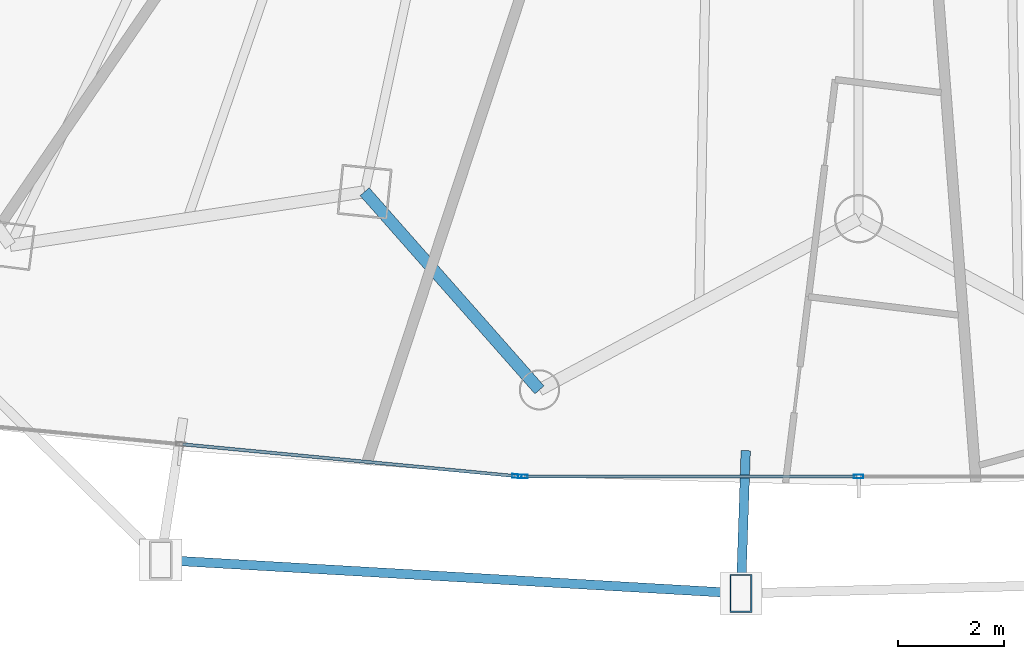
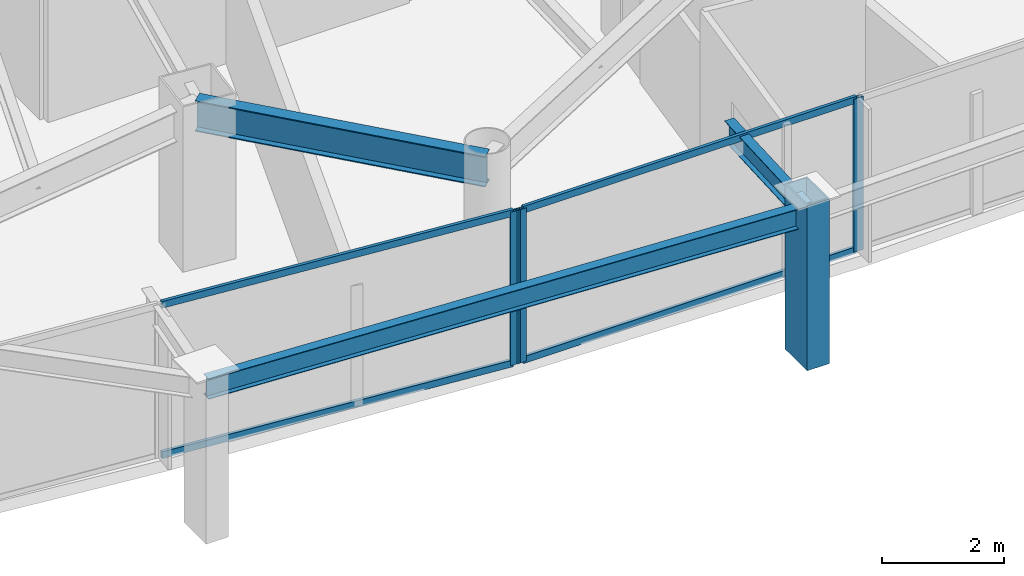
# One storey, part 6 of 33: 8 members, 3 beams, 2 elements without a shape of their own.
"""IFC4 building model written with IfcOpenShell, lengths in metres."""

from ifc_helpers import new_model, si_unit, direction, frame, origin, origin_2d, place, context, subcontext, project, spatial, hollow_rectangle, i_section, extrude, material, layer, layer_set, material_profile, profile_set, type_object, element, aggregate, save


model = new_model("IFC4")

# Units and contexts
model_context = context("Model", 3, precision=1e-05, world=origin(), true_north=direction((0.0, 1.0)))
body_context = subcontext(model_context, "Body", "Model", "MODEL_VIEW")
ifc_project = project(units=[si_unit("LENGTHUNIT", "METRE"), si_unit("AREAUNIT", "SQUARE_METRE"), si_unit("VOLUMEUNIT", "CUBIC_METRE"), si_unit("PLANEANGLEUNIT", "RADIAN"), si_unit("MASSUNIT", "GRAM", prefix="KILO")], contexts=[model_context])

# Site, building, storey
site_placement = place(None, origin())
site = spatial("IfcSite", under=ifc_project, at=site_placement, CompositionType="ELEMENT")
building_placement = place(site_placement, origin())
building = spatial("IfcBuilding", under=site, at=building_placement, Name="Orvanel Arch Residences", CompositionType="ELEMENT")
storey_placement = place(building_placement, frame((0.0, 0.0, 70.85009765625)))
storey = spatial("IfcBuildingStorey", under=building, at=storey_placement, Name="L19", CompositionType="ELEMENT", Elevation=70.85009765625)

# Member
ifc_material_1 = material(Name="Structural steel AS/NZS 3678 Grade 350", Category="steel")
ifc_material_profile_1 = material_profile(ifc_material_1, hollow_rectangle(XDim=0.419921875, YDim=0.719970703125, WallThickness=0.02490234375, at=origin_2d()), Name="RHS720x420x25")
ifc_profile_set_1 = profile_set([ifc_material_profile_1], Name="Structural steel AS/NZS 3678 Grade 350")
member_type_1 = type_object("IfcMemberType", Name="CH-720RHS-EXT", PredefinedType="CHORD", material=ifc_profile_set_1)
member_1_placement = place(storey_placement, frame((30.77099609375, -0.2470703125, 0.0), z_axis=(0.0, 0.0, 1.0), x_axis=(1.0, 0.0, 0.0)))
element("IfcMember", 1, at=member_1_placement, inside=storey, type_object=member_type_1, Name="L19 Outer Perimeter Frame Post 06", PredefinedType="CHORD", context=body_context, shape_type="SweptSolid", body=[
    extrude(hollow_rectangle(XDim=0.419921875, YDim=0.719970703125, WallThickness=0.02490234375, at=origin_2d()), origin(), (0.0, 0.0, 1.0), 3.2998046875),
])

# Curtain wall, member
ifc_material_2 = material(Name="Bronze-anodised aluminium AA6063-T6", Category="aluminium")
ifc_layer = layer(ifc_material_2, 0.179931640625)
ifc_layer_set = layer_set([ifc_layer], Name="Bronze-anodised aluminium AA6063-T6")
curtain_wall_type = type_object("IfcCurtainWallType", Name="CW2-LOW-SYS", PredefinedType="NOTDEFINED", material=ifc_layer_set)
curtain_wall_1_placement = place(storey_placement, origin())
curtain_wall_1 = element("IfcCurtainWall", 2, at=curtain_wall_1_placement, inside=storey, type_object=curtain_wall_type, Name="L19 CW2-LOW-SYS Unitised Curtain Wall", PredefinedType="NOTDEFINED")
ifc_material_profile_2 = material_profile(ifc_material_2, hollow_rectangle(XDim=0.070068359375, YDim=0.179931640625, WallThickness=0.00439453125, at=origin_2d()), Name="ALU180x70x4.5")
ifc_profile_set_2 = profile_set([ifc_material_profile_2], Name="Bronze-anodised aluminium AA6063-T6")
member_type_2 = type_object("IfcMemberType", Name="MUL-180x70", PredefinedType="MULLION", material=ifc_profile_set_2)
member_2_placement = place(storey_placement, frame((26.5322265625, 1.971435546875, 0.0), z_axis=(0.0, 0.0, 1.0), x_axis=(0.094831137816, 0.995493372806, 0.0)))
member_2 = element("IfcMember", 3, at=member_2_placement, type_object=member_type_2, Name="CW-S2 mullion 3", PredefinedType="MULLION", context=body_context, shape_type="SweptSolid", body=[
    extrude(hollow_rectangle(XDim=0.070068359375, YDim=0.179931640625, WallThickness=0.00439453125, at=origin_2d()), origin(), (0.0, 0.0, 1.0), 3.059814453125),
])

# Curtain wall, members
curtain_wall_2_placement = place(storey_placement, origin())
curtain_wall_2 = element("IfcCurtainWall", 4, at=curtain_wall_2_placement, inside=storey, type_object=curtain_wall_type, Name="L19 CW2-LOW-SYS Unitised Curtain Wall", PredefinedType="NOTDEFINED")
member_3_placement = place(storey_placement, frame((26.64208984375, 1.966064453125, 0.0), z_axis=(0.0, 0.0, 1.0), x_axis=(0.0, 1.0, 0.0)))
member_3 = element("IfcMember", 5, at=member_3_placement, type_object=member_type_2, Name="CW-S2 mullion 1", PredefinedType="MULLION", context=body_context, shape_type="SweptSolid", body=[
    extrude(hollow_rectangle(XDim=0.070068359375, YDim=0.179931640625, WallThickness=0.00439453125, at=origin_2d()), origin(), (0.0, 0.0, 1.0), 3.059814453125),
])
member_4_placement = place(storey_placement, frame((33.0, 1.966064453125, 0.0), z_axis=(0.0, 0.0, 1.0), x_axis=(0.0, 1.0, 0.0)))
member_4 = element("IfcMember", 6, at=member_4_placement, type_object=member_type_2, Name="CW-S2 mullion 2", PredefinedType="MULLION", context=body_context, shape_type="SweptSolid", body=[
    extrude(hollow_rectangle(XDim=0.070068359375, YDim=0.179931640625, WallThickness=0.00439453125, at=origin_2d()), origin(), (0.0, 0.0, 1.0), 3.059814453125),
])

# Beams
ifc_material_3 = material(Name="Structural steel AS/NZS 3679.1 Grade 300 (300 MPa)", Category="steel")
ifc_material_profile_3 = material_profile(ifc_material_3, i_section(OverallWidth=0.177978515625, OverallDepth=0.406005859375, WebThickness=0.0078125, FlangeThickness=0.0126953125, at=origin_2d()), Name="410UB59.7")
ifc_profile_set_3 = profile_set([ifc_material_profile_3], Name="Structural steel AS/NZS 3679.1 Grade 300 (300 MPa)")
beam_type_1 = type_object("IfcBeamType", Name="OB-410UB-EXT", PredefinedType="SPANDREL", material=ifc_profile_set_3)
beam_1_placement = place(storey_placement, frame((19.7919921875, 0.385986328125, 2.85693359375), z_axis=(0.99834175778, -0.057565047319, 0.0), x_axis=(0.057565047319, 0.99834175778, 0.0)))
element("IfcBeam", 7, at=beam_1_placement, inside=storey, type_object=beam_type_1, Name="L19 Outer Perimeter Floor Ring Beam 05", PredefinedType="SPANDREL", context=body_context, shape_type="SweptSolid", body=[
    extrude(i_section(OverallWidth=0.177978515625, OverallDepth=0.406005859375, WebThickness=0.0078125, FlangeThickness=0.0126953125, at=origin_2d()), origin(), (0.0, 0.0, 1.0), 10.997314453125),
])
beam_2_placement = place(storey_placement, frame((30.862060546875, 2.455078125, 2.85693359375), z_axis=(-0.033681637561, -0.999432612681, 0.0), x_axis=(0.999432612681, -0.033681637561, 0.0)))
element("IfcBeam", 8, at=beam_2_placement, inside=storey, type_object=beam_type_1, Name="L19 Outer Frame Radial Tie Beam 06", PredefinedType="SPANDREL", context=body_context, shape_type="SweptSolid", body=[
    extrude(i_section(OverallWidth=0.177978515625, OverallDepth=0.406005859375, WebThickness=0.0078125, FlangeThickness=0.0126953125, at=origin_2d()), origin(), (0.0, 0.0, 1.0), 2.70361328125),
])
ifc_material_profile_4 = material_profile(ifc_material_3, i_section(OverallWidth=0.22900390625, OverallDepth=0.612060546875, WebThickness=0.011962890625, FlangeThickness=0.01953125, at=origin_2d()), Name="610UB125")
ifc_profile_set_4 = profile_set([ifc_material_profile_4], Name="Structural steel AS/NZS 3679.1 Grade 300 (300 MPa)")
beam_type_2 = type_object("IfcBeamType", Name="SP-610UB", PredefinedType="SPANDREL", material=ifc_profile_set_4)
beam_3_placement = place(storey_placement, frame((23.64892578125, 7.35498046875, 2.75390625), z_axis=(0.661650698195, -0.749812212209, 0.0), x_axis=(0.749812212209, 0.661650698195, 0.0)))
element("IfcBeam", 9, at=beam_3_placement, inside=storey, type_object=beam_type_2, Name="L19 Perimeter Spandrel Beam 05", PredefinedType="SPANDREL", context=body_context, shape_type="SweptSolid", body=[
    extrude(i_section(OverallWidth=0.22900390625, OverallDepth=0.612060546875, WebThickness=0.011962890625, FlangeThickness=0.01953125, at=origin_2d()), origin(), (0.0, 0.0, 1.0), 5.001220703125),
])

# Member
ifc_material_profile_5 = material_profile(ifc_material_2, hollow_rectangle(XDim=0.06005859375, YDim=0.135009765625, WallThickness=0.00390625, at=origin_2d()), Name="ALU135x60x4")
ifc_profile_set_5 = profile_set([ifc_material_profile_5], Name="Bronze-anodised aluminium AA6063-T6")
member_type_3 = type_object("IfcMemberType", Name="TRN-135x60", PredefinedType="USERDEFINED", material=ifc_profile_set_5)
member_5_placement = place(storey_placement, frame((20.208740234375, 2.57373046875, 0.02978515625), z_axis=(0.995492345482, -0.09484192157, 0.0), x_axis=(0.09484192157, 0.995492345482, 0.0)))
member_5 = element("IfcMember", 10, at=member_5_placement, type_object=member_type_3, Name="CW-S2 transom 2.1", ObjectType="TRANSOM", PredefinedType="USERDEFINED", context=body_context, shape_type="SweptSolid", body=[
    extrude(hollow_rectangle(XDim=0.06005859375, YDim=0.135009765625, WallThickness=0.00390625, at=origin_2d()), origin(), (0.0, 0.0, 1.0), 6.317138671875),
])

member_6_placement = place(storey_placement, frame((20.208740234375, 2.57373046875, 3.02978515625), z_axis=(0.995492345482, -0.09484192157, 0.0), x_axis=(0.09484192157, 0.995492345482, 0.0)))
member_6 = element("IfcMember", 11, at=member_6_placement, type_object=member_type_3, Name="CW-S2 transom 2.2", ObjectType="TRANSOM", PredefinedType="USERDEFINED", context=body_context, shape_type="SweptSolid", body=[
    extrude(hollow_rectangle(XDim=0.06005859375, YDim=0.135009765625, WallThickness=0.00390625, at=origin_2d()), origin(), (0.0, 0.0, 1.0), 6.317138671875),
])

aggregate(curtain_wall_1, [member_2, member_5, member_6])

member_7_placement = place(storey_placement, frame((26.677001953125, 1.966064453125, 0.02978515625), z_axis=(1.0, 0.0, 0.0), x_axis=(0.0, 1.0, 0.0)))
member_7 = element("IfcMember", 12, at=member_7_placement, type_object=member_type_3, Name="CW-S2 transom 1.1", ObjectType="TRANSOM", PredefinedType="USERDEFINED", context=body_context, shape_type="SweptSolid", body=[
    extrude(hollow_rectangle(XDim=0.06005859375, YDim=0.135009765625, WallThickness=0.00390625, at=origin_2d()), origin(), (0.0, 0.0, 1.0), 6.2880859375),
])

member_8_placement = place(storey_placement, frame((26.677001953125, 1.966064453125, 3.02978515625), z_axis=(1.0, 0.0, 0.0), x_axis=(0.0, 1.0, 0.0)))
member_8 = element("IfcMember", 13, at=member_8_placement, type_object=member_type_3, Name="CW-S2 transom 1.2", ObjectType="TRANSOM", PredefinedType="USERDEFINED", context=body_context, shape_type="SweptSolid", body=[
    extrude(hollow_rectangle(XDim=0.06005859375, YDim=0.135009765625, WallThickness=0.00390625, at=origin_2d()), origin(), (0.0, 0.0, 1.0), 6.2880859375),
])

aggregate(curtain_wall_2, [member_3, member_4, member_7, member_8])

save(model, "model.ifc")
